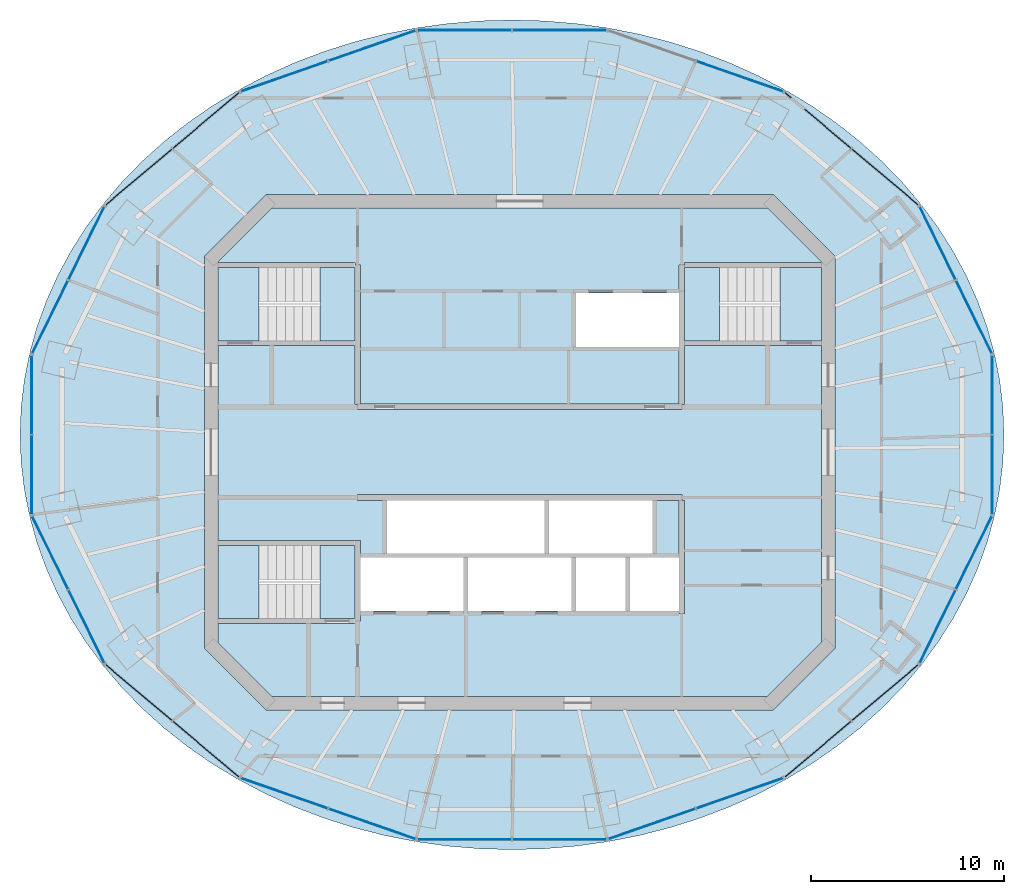
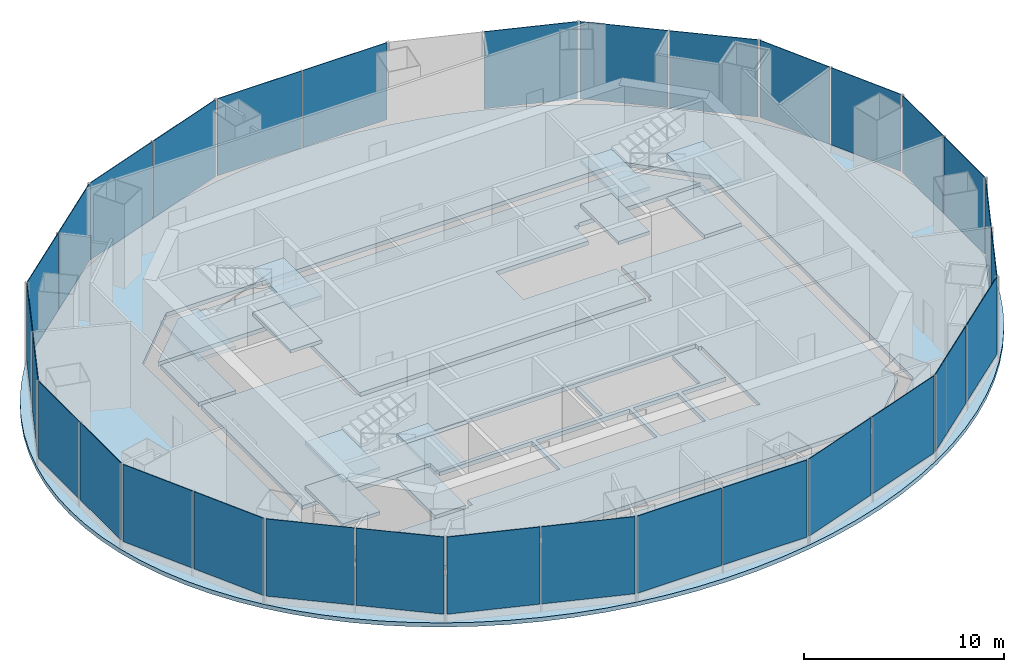
# One storey, part 6 of 11: 31 plates, 15 slabs, 19 elements without a shape of their own.
"""IFC4 building model written with IfcOpenShell, lengths in metres."""

from ifc_helpers import new_model, si_unit, direction, frame, origin, origin_2d, place, context, subcontext, project, spatial, polyline, rectangle, outline, extrude, material, layer, layer_set, type_object, element, aggregate, save


model = new_model("IFC4")

# Units and contexts
model_context = context("Model", 3, precision=1e-05, world=origin(), true_north=direction((0.0, 1.0)))
body_context = subcontext(model_context, "Body", "Model", "MODEL_VIEW")
ifc_project = project(units=[si_unit("LENGTHUNIT", "METRE"), si_unit("AREAUNIT", "SQUARE_METRE"), si_unit("VOLUMEUNIT", "CUBIC_METRE"), si_unit("PLANEANGLEUNIT", "RADIAN"), si_unit("MASSUNIT", "GRAM", prefix="KILO")], contexts=[model_context])

# Site, building, storey
site_placement = place(None, origin())
site = spatial("IfcSite", under=ifc_project, at=site_placement, CompositionType="ELEMENT")
building_placement = place(site_placement, origin())
building = spatial("IfcBuilding", under=site, at=building_placement, Name="Marenthal Gate Tower", CompositionType="ELEMENT")
storey_placement = place(building_placement, frame((0.0, 0.0, 396.550048828125)))
storey = spatial("IfcBuildingStorey", under=building, at=storey_placement, Name="L90", CompositionType="ELEMENT", Elevation=396.550048828125)

# Slabs
ifc_material_1 = material(Name="Concrete 50 MPa", Category="concrete")
ifc_layer_1 = layer(ifc_material_1, 0.25)
ifc_layer_set_1 = layer_set([ifc_layer_1], Name="Core floor slab 250")
slab_type_1 = type_object("IfcSlabType", Name="Core floor slab 250", PredefinedType="FLOOR", material=ifc_layer_set_1)
slab_1_placement = place(storey_placement, frame((0.0, 0.0, -0.25)))
element("IfcSlab", 1, at=slab_1_placement, inside=storey, type_object=slab_type_1, Name="Core floor L90", PredefinedType="FLOOR", context=body_context, shape_type="SweptSolid", body=[
    extrude(outline(polyline([(12.85498046875, -12.64990234375), (-12.85498046875, -12.64990234375), (-15.64990234375, -9.85498046875), (-15.64990234375, -8.875), (-8.550048828125, -8.875), (-8.550048828125, -8.75), (-8.25, -8.75), (-8.25, -8.239990234375), (-5.60009765625, -8.239990234375), (-2.909912109375, -8.239990234375), (-2.909912109375, -5.4599609375), (-5.60009765625, -5.4599609375), (-8.25, -5.4599609375), (-8.25, -4.574951171875), (-8.550048828125, -4.574951171875), (-15.64990234375, -4.574951171875), (-15.64990234375, 5.52490234375), (-8.550048828125, 5.52490234375), (-8.550048828125, 2.5), (-8.39990234375, 2.5), (-8.39990234375, 2.199951171875), (8.39990234375, 2.199951171875), (8.39990234375, 2.5), (8.550048828125, 2.5), (8.550048828125, 5.52490234375), (15.64990234375, 5.52490234375), (15.64990234375, -9.85498046875), (12.85498046875, -12.64990234375)]), holes=[polyline([(0.0, -8.239990234375), (2.68994140625, -8.239990234375), (2.68994140625, -5.4599609375), (0.0, -5.4599609375), (-2.68994140625, -5.4599609375), (-2.68994140625, -8.239990234375), (0.0, -8.239990234375)]), polyline([(1.2900390625, -5.239990234375), (1.2900390625, -2.5), (1.510009765625, -2.5), (1.510009765625, -5.239990234375), (4.199951171875, -5.239990234375), (6.889892578125, -5.239990234375), (6.889892578125, -2.5), (8.25, -2.5), (8.25, -5.4599609375), (5.7099609375, -5.4599609375), (5.7099609375, -8.239990234375), (8.25, -8.239990234375), (8.25, -8.35009765625), (8.550048828125, -8.35009765625), (8.550048828125, -2.5), (8.39990234375, -2.5), (8.39990234375, -2.199951171875), (-8.39990234375, -2.199951171875), (-8.39990234375, -2.5), (-6.889892578125, -2.5), (-6.889892578125, -5.239990234375), (-4.199951171875, -5.239990234375), (-1.39990234375, -5.239990234375), (1.2900390625, -5.239990234375)]), polyline([(5.489990234375, -5.4599609375), (2.909912109375, -5.4599609375), (2.909912109375, -8.239990234375), (5.489990234375, -8.239990234375), (5.489990234375, -5.4599609375)])]), origin(), (0.0, 0.0, 1.0), 0.25),
])
slab_2_placement = place(storey_placement, frame((0.0, 0.0, -0.25)))
element("IfcSlab", 2, at=slab_2_placement, inside=storey, type_object=slab_type_1, Name="Core floor L90", PredefinedType="FLOOR", context=body_context, shape_type="SweptSolid", body=[
    extrude(outline(polyline([(15.64990234375, 5.77490234375), (13.5, 5.77490234375), (13.5, 9.574951171875), (15.64990234375, 9.574951171875), (15.64990234375, 5.77490234375)])), origin(), (0.0, 0.0, 1.0), 0.25),
])
slab_3_placement = place(storey_placement, frame((0.0, 0.0, -0.25)))
element("IfcSlab", 3, at=slab_3_placement, inside=storey, type_object=slab_type_1, Name="Core floor L90", PredefinedType="FLOOR", context=body_context, shape_type="SweptSolid", body=[
    extrude(outline(polyline([(15.64990234375, 9.824951171875), (8.550048828125, 9.824951171875), (8.550048828125, 9.699951171875), (8.25, 9.699951171875), (8.25, 8.35009765625), (8.25, 8.239990234375), (5.60009765625, 8.239990234375), (2.909912109375, 8.239990234375), (2.909912109375, 5.4599609375), (5.60009765625, 5.4599609375), (8.25, 5.4599609375), (8.25, 2.5), (-8.25, 2.5), (-8.25, 8.35009765625), (-8.25, 9.699951171875), (-8.550048828125, 9.699951171875), (-8.550048828125, 9.824951171875), (-15.64990234375, 9.824951171875), (-15.64990234375, 9.85498046875), (-12.85498046875, 12.64990234375), (12.85498046875, 12.64990234375), (15.64990234375, 9.85498046875), (15.64990234375, 9.824951171875)])), origin(), (0.0, 0.0, 1.0), 0.25),
])
slab_4_placement = place(storey_placement, frame((0.0, 0.0, -0.25)))
element("IfcSlab", 4, at=slab_4_placement, inside=storey, type_object=slab_type_1, Name="Core floor L90", PredefinedType="FLOOR", context=body_context, shape_type="SweptSolid", body=[
    extrude(outline(polyline([(-15.64990234375, 9.574951171875), (-13.5, 9.574951171875), (-13.5, 5.77490234375), (-15.64990234375, 5.77490234375), (-15.64990234375, 9.574951171875)])), origin(), (0.0, 0.0, 1.0), 0.25),
])
slab_5_placement = place(storey_placement, frame((0.0, 0.0, -0.25)))
element("IfcSlab", 5, at=slab_5_placement, inside=storey, type_object=slab_type_1, Name="Core floor L90", PredefinedType="FLOOR", context=body_context, shape_type="SweptSolid", body=[
    extrude(outline(polyline([(-8.550048828125, -4.824951171875), (-8.550048828125, -8.625), (-10.35009765625, -8.625), (-10.35009765625, -4.824951171875), (-8.550048828125, -4.824951171875)])), origin(), (0.0, 0.0, 1.0), 0.25),
])

# Curtain wall, plates
ifc_material_2 = material(Name="Aluminium and glass", Category="aluminium")
curtain_wall_type = type_object("IfcCurtainWallType", Name="Curtain wall observation", PredefinedType="NOTDEFINED", material=ifc_material_2)
curtain_wall_1_placement = place(storey_placement, origin())
curtain_wall_1 = element("IfcCurtainWall", 6, at=curtain_wall_1_placement, inside=storey, type_object=curtain_wall_type, Name="Curtain wall L90 bay 1", PredefinedType="NOTDEFINED")
ifc_material_3 = material(Name="Glass, laminated impact-rated unit", Category="glass")
ifc_layer_2 = layer(ifc_material_3, 0.0400390625)
ifc_layer_set_2 = layer_set([ifc_layer_2], Name="Glass panel 40 observation")
plate_type = type_object("IfcPlateType", Name="Glass panel 40 observation", PredefinedType="CURTAIN_PANEL", material=ifc_layer_set_2)
plate_1_placement = place(storey_placement, frame((23.538330078125, 7.01123046875, 0.4501953125), z_axis=(0.0, 0.0, 1.0), x_axis=(-0.441246798842, 0.897385793576, 0.0)))
plate_1 = element("IfcPlate", 7, at=plate_1_placement, type_object=plate_type, Name="Glass panel L90 bay 1.1", PredefinedType="CURTAIN_PANEL", context=body_context, shape_type="SweptSolid", body=[
    extrude(rectangle(XDim=4.194091796875, YDim=0.0400390625, at=origin_2d()), origin(), (0.0, 0.0, 1.0), 4.699951171875),
])
plate_2_placement = place(storey_placement, frame((21.65673828125, 10.837890625, 0.4501953125), z_axis=(0.0, 0.0, 1.0), x_axis=(-0.441246798842, 0.897385793576, 0.0)))
plate_2 = element("IfcPlate", 8, at=plate_2_placement, type_object=plate_type, Name="Glass panel L90 bay 1.2", PredefinedType="CURTAIN_PANEL", context=body_context, shape_type="SweptSolid", body=[
    extrude(rectangle(XDim=4.194091796875, YDim=0.0400390625, at=origin_2d()), origin(), (0.0, 0.0, 1.0), 4.699951171875),
])
aggregate(curtain_wall_1, [plate_1, plate_2])

curtain_wall_2_placement = place(storey_placement, origin())
curtain_wall_2 = element("IfcCurtainWall", 9, at=curtain_wall_2_placement, inside=storey, type_object=curtain_wall_type, Name="Curtain wall L90 bay 2", PredefinedType="NOTDEFINED")
plate_3_placement = place(storey_placement, frame((18.940673828125, 14.262451171875, 0.4501953125), z_axis=(0.0, 0.0, 1.0), x_axis=(-0.764802142616, 0.644265226944, 0.0)))
plate_3 = element("IfcPlate", 10, at=plate_3_placement, type_object=plate_type, Name="Glass panel L90 bay 2.1", PredefinedType="CURTAIN_PANEL", context=body_context, shape_type="SweptSolid", body=[
    extrude(rectangle(XDim=4.477783203125, YDim=0.0400390625, at=origin_2d()), origin(), (0.0, 0.0, 1.0), 4.699951171875),
])
plate_4_placement = place(storey_placement, frame((15.46240234375, 17.1923828125, 0.4501953125), z_axis=(0.0, 0.0, 1.0), x_axis=(-0.764802142616, 0.644265226944, 0.0)))
plate_4 = element("IfcPlate", 11, at=plate_4_placement, type_object=plate_type, Name="Glass panel L90 bay 2.2", PredefinedType="CURTAIN_PANEL", context=body_context, shape_type="SweptSolid", body=[
    extrude(rectangle(XDim=4.477783203125, YDim=0.0400390625, at=origin_2d()), origin(), (0.0, 0.0, 1.0), 4.699951171875),
])
aggregate(curtain_wall_2, [plate_3, plate_4])

# Curtain wall, plate
curtain_wall_3_placement = place(storey_placement, origin())
curtain_wall_3 = element("IfcCurtainWall", 12, at=curtain_wall_3_placement, inside=storey, type_object=curtain_wall_type, Name="Curtain wall L90 bay 3", PredefinedType="NOTDEFINED")
plate_5_placement = place(storey_placement, frame((11.39892578125, 19.479736328125, 0.4501953125), z_axis=(0.0, 0.0, 1.0), x_axis=(-0.944171666203, 0.329453888639, 0.0)))
plate_5 = element("IfcPlate", 13, at=plate_5_placement, type_object=plate_type, Name="Glass panel L90 bay 3.1", PredefinedType="CURTAIN_PANEL", context=body_context, shape_type="SweptSolid", body=[
    extrude(rectangle(XDim=4.7451171875, YDim=0.0400390625, at=origin_2d()), origin(), (0.0, 0.0, 1.0), 4.699951171875),
])
aggregate(curtain_wall_3, [plate_5])

# Curtain wall, plates
curtain_wall_4_placement = place(storey_placement, origin())
curtain_wall_4 = element("IfcCurtainWall", 14, at=curtain_wall_4_placement, inside=storey, type_object=curtain_wall_type, Name="Curtain wall L90 bay 4", PredefinedType="NOTDEFINED")
plate_6_placement = place(storey_placement, frame((2.060791015625, 21.869140625, 0.4501953125), z_axis=(0.0, 0.0, 1.0), x_axis=(-1.0, 0.0, 0.0)))
plate_6 = element("IfcPlate", 15, at=plate_6_placement, type_object=plate_type, Name="Glass panel L90 bay 4.1", PredefinedType="CURTAIN_PANEL", context=body_context, shape_type="SweptSolid", body=[
    extrude(rectangle(XDim=4.851318359375, YDim=0.0400390625, at=origin_2d()), origin(), (0.0, 0.0, 1.0), 4.699951171875),
])
plate_7_placement = place(storey_placement, frame((-2.860595703125, 21.869140625, 0.4501953125), z_axis=(0.0, 0.0, 1.0), x_axis=(-1.0, 0.0, 0.0)))
plate_7 = element("IfcPlate", 16, at=plate_7_placement, type_object=plate_type, Name="Glass panel L90 bay 4.2", PredefinedType="CURTAIN_PANEL", context=body_context, shape_type="SweptSolid", body=[
    extrude(rectangle(XDim=4.851318359375, YDim=0.0400390625, at=origin_2d()), origin(), (0.0, 0.0, 1.0), 4.699951171875),
])
aggregate(curtain_wall_4, [plate_6, plate_7])

curtain_wall_5_placement = place(storey_placement, origin())
curtain_wall_5 = element("IfcCurtainWall", 17, at=curtain_wall_5_placement, inside=storey, type_object=curtain_wall_type, Name="Curtain wall L90 bay 5", PredefinedType="NOTDEFINED")
plate_8_placement = place(storey_placement, frame((-7.65283203125, 21.066162109375, 0.4501953125), z_axis=(0.0, 0.0, 1.0), x_axis=(-0.944171666203, -0.329453888639, 0.0)))
plate_8 = element("IfcPlate", 18, at=plate_8_placement, type_object=plate_type, Name="Glass panel L90 bay 5.1", PredefinedType="CURTAIN_PANEL", context=body_context, shape_type="SweptSolid", body=[
    extrude(rectangle(XDim=4.7451171875, YDim=0.0400390625, at=origin_2d()), origin(), (0.0, 0.0, 1.0), 4.699951171875),
])
plate_9_placement = place(storey_placement, frame((-12.198974609375, 19.479736328125, 0.4501953125), z_axis=(0.0, 0.0, 1.0), x_axis=(-0.944171666203, -0.329453888639, 0.0)))
plate_9 = element("IfcPlate", 19, at=plate_9_placement, type_object=plate_type, Name="Glass panel L90 bay 5.2", PredefinedType="CURTAIN_PANEL", context=body_context, shape_type="SweptSolid", body=[
    extrude(rectangle(XDim=4.7451171875, YDim=0.0400390625, at=origin_2d()), origin(), (0.0, 0.0, 1.0), 4.699951171875),
])
aggregate(curtain_wall_5, [plate_8, plate_9])

curtain_wall_6_placement = place(storey_placement, origin())
curtain_wall_6 = element("IfcCurtainWall", 20, at=curtain_wall_6_placement, inside=storey, type_object=curtain_wall_type, Name="Curtain wall L90 bay 6", PredefinedType="NOTDEFINED")
plate_10_placement = place(storey_placement, frame((-16.262451171875, 17.1923828125, 0.4501953125), z_axis=(0.0, 0.0, 1.0), x_axis=(-0.764802142616, -0.644265226944, 0.0)))
plate_10 = element("IfcPlate", 21, at=plate_10_placement, type_object=plate_type, Name="Glass panel L90 bay 6.1", PredefinedType="CURTAIN_PANEL", context=body_context, shape_type="SweptSolid", body=[
    extrude(rectangle(XDim=4.477783203125, YDim=0.0400390625, at=origin_2d()), origin(), (0.0, 0.0, 1.0), 4.699951171875),
])
plate_11_placement = place(storey_placement, frame((-19.74072265625, 14.262451171875, 0.4501953125), z_axis=(0.0, 0.0, 1.0), x_axis=(-0.764802142616, -0.644265226944, 0.0)))
plate_11 = element("IfcPlate", 22, at=plate_11_placement, type_object=plate_type, Name="Glass panel L90 bay 6.2", PredefinedType="CURTAIN_PANEL", context=body_context, shape_type="SweptSolid", body=[
    extrude(rectangle(XDim=4.477783203125, YDim=0.0400390625, at=origin_2d()), origin(), (0.0, 0.0, 1.0), 4.699951171875),
])
aggregate(curtain_wall_6, [plate_10, plate_11])

curtain_wall_7_placement = place(storey_placement, origin())
curtain_wall_7 = element("IfcCurtainWall", 23, at=curtain_wall_7_placement, inside=storey, type_object=curtain_wall_type, Name="Curtain wall L90 bay 7", PredefinedType="NOTDEFINED")
plate_12_placement = place(storey_placement, frame((-22.456787109375, 10.837890625, 0.4501953125), z_axis=(0.0, 0.0, 1.0), x_axis=(-0.441246798842, -0.897385793576, 0.0)))
plate_12 = element("IfcPlate", 24, at=plate_12_placement, type_object=plate_type, Name="Glass panel L90 bay 7.1", PredefinedType="CURTAIN_PANEL", context=body_context, shape_type="SweptSolid", body=[
    extrude(rectangle(XDim=4.194091796875, YDim=0.0400390625, at=origin_2d()), origin(), (0.0, 0.0, 1.0), 4.699951171875),
])
plate_13_placement = place(storey_placement, frame((-24.33837890625, 7.01123046875, 0.4501953125), z_axis=(0.0, 0.0, 1.0), x_axis=(-0.441246798842, -0.897385793576, 0.0)))
plate_13 = element("IfcPlate", 25, at=plate_13_placement, type_object=plate_type, Name="Glass panel L90 bay 7.2", PredefinedType="CURTAIN_PANEL", context=body_context, shape_type="SweptSolid", body=[
    extrude(rectangle(XDim=4.194091796875, YDim=0.0400390625, at=origin_2d()), origin(), (0.0, 0.0, 1.0), 4.699951171875),
])
aggregate(curtain_wall_7, [plate_12, plate_13])

curtain_wall_8_placement = place(storey_placement, origin())
curtain_wall_8 = element("IfcCurtainWall", 26, at=curtain_wall_8_placement, inside=storey, type_object=curtain_wall_type, Name="Curtain wall L90 bay 8", PredefinedType="NOTDEFINED")
plate_14_placement = place(storey_placement, frame((-25.292236328125, 2.970458984375, 0.4501953125), z_axis=(0.0, 0.0, 1.0), x_axis=(0.0, -1.0, 0.0)))
plate_14 = element("IfcPlate", 27, at=plate_14_placement, type_object=plate_type, Name="Glass panel L90 bay 8.1", PredefinedType="CURTAIN_PANEL", context=body_context, shape_type="SweptSolid", body=[
    extrude(rectangle(XDim=4.071044921875, YDim=0.0400390625, at=origin_2d()), origin(), (0.0, 0.0, 1.0), 4.699951171875),
])
plate_15_placement = place(storey_placement, frame((-25.292236328125, -1.17041015625, 0.4501953125), z_axis=(0.0, 0.0, 1.0), x_axis=(0.0, -1.0, 0.0)))
plate_15 = element("IfcPlate", 28, at=plate_15_placement, type_object=plate_type, Name="Glass panel L90 bay 8.2", PredefinedType="CURTAIN_PANEL", context=body_context, shape_type="SweptSolid", body=[
    extrude(rectangle(XDim=4.071044921875, YDim=0.0400390625, at=origin_2d()), origin(), (0.0, 0.0, 1.0), 4.699951171875),
])
aggregate(curtain_wall_8, [plate_14, plate_15])

curtain_wall_9_placement = place(storey_placement, origin())
curtain_wall_9 = element("IfcCurtainWall", 29, at=curtain_wall_9_placement, inside=storey, type_object=curtain_wall_type, Name="Curtain wall L90 bay 9", PredefinedType="NOTDEFINED")
plate_16_placement = place(storey_placement, frame((-24.33837890625, -5.211181640625, 0.4501953125), z_axis=(0.0, 0.0, 1.0), x_axis=(0.441246798842, -0.897385793576, 0.0)))
plate_16 = element("IfcPlate", 30, at=plate_16_placement, type_object=plate_type, Name="Glass panel L90 bay 9.1", PredefinedType="CURTAIN_PANEL", context=body_context, shape_type="SweptSolid", body=[
    extrude(rectangle(XDim=4.194091796875, YDim=0.0400390625, at=origin_2d()), origin(), (0.0, 0.0, 1.0), 4.699951171875),
])
plate_17_placement = place(storey_placement, frame((-22.456787109375, -9.037841796875, 0.4501953125), z_axis=(0.0, 0.0, 1.0), x_axis=(0.441246798842, -0.897385793576, 0.0)))
plate_17 = element("IfcPlate", 31, at=plate_17_placement, type_object=plate_type, Name="Glass panel L90 bay 9.2", PredefinedType="CURTAIN_PANEL", context=body_context, shape_type="SweptSolid", body=[
    extrude(rectangle(XDim=4.194091796875, YDim=0.0400390625, at=origin_2d()), origin(), (0.0, 0.0, 1.0), 4.699951171875),
])
aggregate(curtain_wall_9, [plate_16, plate_17])

curtain_wall_10_placement = place(storey_placement, origin())
curtain_wall_10 = element("IfcCurtainWall", 32, at=curtain_wall_10_placement, inside=storey, type_object=curtain_wall_type, Name="Curtain wall L90 bay 10", PredefinedType="NOTDEFINED")
plate_18_placement = place(storey_placement, frame((-19.74072265625, -12.46240234375, 0.4501953125), z_axis=(0.0, 0.0, 1.0), x_axis=(0.764802142616, -0.644265226944, 0.0)))
plate_18 = element("IfcPlate", 33, at=plate_18_placement, type_object=plate_type, Name="Glass panel L90 bay 10.1", PredefinedType="CURTAIN_PANEL", context=body_context, shape_type="SweptSolid", body=[
    extrude(rectangle(XDim=4.477783203125, YDim=0.0400390625, at=origin_2d()), origin(), (0.0, 0.0, 1.0), 4.699951171875),
])
plate_19_placement = place(storey_placement, frame((-16.262451171875, -15.392578125, 0.4501953125), z_axis=(0.0, 0.0, 1.0), x_axis=(0.764802142616, -0.644265226944, 0.0)))
plate_19 = element("IfcPlate", 34, at=plate_19_placement, type_object=plate_type, Name="Glass panel L90 bay 10.2", PredefinedType="CURTAIN_PANEL", context=body_context, shape_type="SweptSolid", body=[
    extrude(rectangle(XDim=4.477783203125, YDim=0.0400390625, at=origin_2d()), origin(), (0.0, 0.0, 1.0), 4.699951171875),
])
aggregate(curtain_wall_10, [plate_18, plate_19])

curtain_wall_11_placement = place(storey_placement, origin())
curtain_wall_11 = element("IfcCurtainWall", 35, at=curtain_wall_11_placement, inside=storey, type_object=curtain_wall_type, Name="Curtain wall L90 bay 11", PredefinedType="NOTDEFINED")
plate_20_placement = place(storey_placement, frame((-12.198974609375, -17.679931640625, 0.4501953125), z_axis=(0.0, 0.0, 1.0), x_axis=(0.944171666203, -0.329453888639, 0.0)))
plate_20 = element("IfcPlate", 36, at=plate_20_placement, type_object=plate_type, Name="Glass panel L90 bay 11.1", PredefinedType="CURTAIN_PANEL", context=body_context, shape_type="SweptSolid", body=[
    extrude(rectangle(XDim=4.7451171875, YDim=0.0400390625, at=origin_2d()), origin(), (0.0, 0.0, 1.0), 4.699951171875),
])
plate_21_placement = place(storey_placement, frame((-7.65283203125, -19.26611328125, 0.4501953125), z_axis=(0.0, 0.0, 1.0), x_axis=(0.944171666203, -0.329453888639, 0.0)))
plate_21 = element("IfcPlate", 37, at=plate_21_placement, type_object=plate_type, Name="Glass panel L90 bay 11.2", PredefinedType="CURTAIN_PANEL", context=body_context, shape_type="SweptSolid", body=[
    extrude(rectangle(XDim=4.7451171875, YDim=0.0400390625, at=origin_2d()), origin(), (0.0, 0.0, 1.0), 4.699951171875),
])
aggregate(curtain_wall_11, [plate_20, plate_21])

curtain_wall_12_placement = place(storey_placement, origin())
curtain_wall_12 = element("IfcCurtainWall", 38, at=curtain_wall_12_placement, inside=storey, type_object=curtain_wall_type, Name="Curtain wall L90 bay 12", PredefinedType="NOTDEFINED")
plate_22_placement = place(storey_placement, frame((-2.860595703125, -20.069091796875, 0.4501953125), z_axis=(0.0, 0.0, 1.0), x_axis=(1.0, 0.0, 0.0)))
plate_22 = element("IfcPlate", 39, at=plate_22_placement, type_object=plate_type, Name="Glass panel L90 bay 12.1", PredefinedType="CURTAIN_PANEL", context=body_context, shape_type="SweptSolid", body=[
    extrude(rectangle(XDim=4.851318359375, YDim=0.0400390625, at=origin_2d()), origin(), (0.0, 0.0, 1.0), 4.699951171875),
])
plate_23_placement = place(storey_placement, frame((2.060791015625, -20.069091796875, 0.4501953125), z_axis=(0.0, 0.0, 1.0), x_axis=(1.0, 0.0, 0.0)))
plate_23 = element("IfcPlate", 40, at=plate_23_placement, type_object=plate_type, Name="Glass panel L90 bay 12.2", PredefinedType="CURTAIN_PANEL", context=body_context, shape_type="SweptSolid", body=[
    extrude(rectangle(XDim=4.851318359375, YDim=0.0400390625, at=origin_2d()), origin(), (0.0, 0.0, 1.0), 4.699951171875),
])
aggregate(curtain_wall_12, [plate_22, plate_23])

curtain_wall_13_placement = place(storey_placement, origin())
curtain_wall_13 = element("IfcCurtainWall", 41, at=curtain_wall_13_placement, inside=storey, type_object=curtain_wall_type, Name="Curtain wall L90 bay 13", PredefinedType="NOTDEFINED")
plate_24_placement = place(storey_placement, frame((6.852783203125, -19.26611328125, 0.4501953125), z_axis=(0.0, 0.0, 1.0), x_axis=(0.944171666203, 0.329453888639, 0.0)))
plate_24 = element("IfcPlate", 42, at=plate_24_placement, type_object=plate_type, Name="Glass panel L90 bay 13.1", PredefinedType="CURTAIN_PANEL", context=body_context, shape_type="SweptSolid", body=[
    extrude(rectangle(XDim=4.7451171875, YDim=0.0400390625, at=origin_2d()), origin(), (0.0, 0.0, 1.0), 4.699951171875),
])
plate_25_placement = place(storey_placement, frame((11.39892578125, -17.679931640625, 0.4501953125), z_axis=(0.0, 0.0, 1.0), x_axis=(0.944171666203, 0.329453888639, 0.0)))
plate_25 = element("IfcPlate", 43, at=plate_25_placement, type_object=plate_type, Name="Glass panel L90 bay 13.2", PredefinedType="CURTAIN_PANEL", context=body_context, shape_type="SweptSolid", body=[
    extrude(rectangle(XDim=4.7451171875, YDim=0.0400390625, at=origin_2d()), origin(), (0.0, 0.0, 1.0), 4.699951171875),
])
aggregate(curtain_wall_13, [plate_24, plate_25])

curtain_wall_14_placement = place(storey_placement, origin())
curtain_wall_14 = element("IfcCurtainWall", 44, at=curtain_wall_14_placement, inside=storey, type_object=curtain_wall_type, Name="Curtain wall L90 bay 14", PredefinedType="NOTDEFINED")
plate_26_placement = place(storey_placement, frame((15.46240234375, -15.392333984375, 0.4501953125), z_axis=(0.0, 0.0, 1.0), x_axis=(0.764802142616, 0.644265226944, 0.0)))
plate_26 = element("IfcPlate", 45, at=plate_26_placement, type_object=plate_type, Name="Glass panel L90 bay 14.1", PredefinedType="CURTAIN_PANEL", context=body_context, shape_type="SweptSolid", body=[
    extrude(rectangle(XDim=4.477783203125, YDim=0.0400390625, at=origin_2d()), origin(), (0.0, 0.0, 1.0), 4.699951171875),
])
plate_27_placement = place(storey_placement, frame((18.940673828125, -12.46240234375, 0.4501953125), z_axis=(0.0, 0.0, 1.0), x_axis=(0.764802142616, 0.644265226944, 0.0)))
plate_27 = element("IfcPlate", 46, at=plate_27_placement, type_object=plate_type, Name="Glass panel L90 bay 14.2", PredefinedType="CURTAIN_PANEL", context=body_context, shape_type="SweptSolid", body=[
    extrude(rectangle(XDim=4.477783203125, YDim=0.0400390625, at=origin_2d()), origin(), (0.0, 0.0, 1.0), 4.699951171875),
])
aggregate(curtain_wall_14, [plate_26, plate_27])

curtain_wall_15_placement = place(storey_placement, origin())
curtain_wall_15 = element("IfcCurtainWall", 47, at=curtain_wall_15_placement, inside=storey, type_object=curtain_wall_type, Name="Curtain wall L90 bay 15", PredefinedType="NOTDEFINED")
plate_28_placement = place(storey_placement, frame((21.65673828125, -9.037841796875, 0.4501953125), z_axis=(0.0, 0.0, 1.0), x_axis=(0.441246798842, 0.897385793576, 0.0)))
plate_28 = element("IfcPlate", 48, at=plate_28_placement, type_object=plate_type, Name="Glass panel L90 bay 15.1", PredefinedType="CURTAIN_PANEL", context=body_context, shape_type="SweptSolid", body=[
    extrude(rectangle(XDim=4.194091796875, YDim=0.0400390625, at=origin_2d()), origin(), (0.0, 0.0, 1.0), 4.699951171875),
])
plate_29_placement = place(storey_placement, frame((23.538330078125, -5.211181640625, 0.4501953125), z_axis=(0.0, 0.0, 1.0), x_axis=(0.441246798842, 0.897385793576, 0.0)))
plate_29 = element("IfcPlate", 49, at=plate_29_placement, type_object=plate_type, Name="Glass panel L90 bay 15.2", PredefinedType="CURTAIN_PANEL", context=body_context, shape_type="SweptSolid", body=[
    extrude(rectangle(XDim=4.194091796875, YDim=0.0400390625, at=origin_2d()), origin(), (0.0, 0.0, 1.0), 4.699951171875),
])
aggregate(curtain_wall_15, [plate_28, plate_29])

curtain_wall_16_placement = place(storey_placement, origin())
curtain_wall_16 = element("IfcCurtainWall", 50, at=curtain_wall_16_placement, inside=storey, type_object=curtain_wall_type, Name="Curtain wall L90 bay 16", PredefinedType="NOTDEFINED")
plate_30_placement = place(storey_placement, frame((24.4921875, -1.17041015625, 0.4501953125), z_axis=(0.0, 0.0, 1.0), x_axis=(0.0, 1.0, 0.0)))
plate_30 = element("IfcPlate", 51, at=plate_30_placement, type_object=plate_type, Name="Glass panel L90 bay 16.1", PredefinedType="CURTAIN_PANEL", context=body_context, shape_type="SweptSolid", body=[
    extrude(rectangle(XDim=4.071044921875, YDim=0.0400390625, at=origin_2d()), origin(), (0.0, 0.0, 1.0), 4.699951171875),
])
plate_31_placement = place(storey_placement, frame((24.4921875, 2.970458984375, 0.4501953125), z_axis=(0.0, 0.0, 1.0), x_axis=(0.0, 1.0, 0.0)))
plate_31 = element("IfcPlate", 52, at=plate_31_placement, type_object=plate_type, Name="Glass panel L90 bay 16.2", PredefinedType="CURTAIN_PANEL", context=body_context, shape_type="SweptSolid", body=[
    extrude(rectangle(XDim=4.071044921875, YDim=0.0400390625, at=origin_2d()), origin(), (0.0, 0.0, 1.0), 4.699951171875),
])
aggregate(curtain_wall_16, [plate_30, plate_31])

# Slab
ifc_material_4 = material(Name="Concrete 35 MPa", Category="concrete")
ifc_layer_3 = layer(ifc_material_4, 0.25)
ifc_layer_set_3 = layer_set([ifc_layer_3], Name="Observation floor slab 250")
slab_type_2 = type_object("IfcSlabType", Name="Observation floor slab 250", PredefinedType="FLOOR", material=ifc_layer_set_3)
slab_6_placement = place(storey_placement, frame((0.0, 0.0, -0.25)))
element("IfcSlab", 53, at=slab_6_placement, inside=storey, type_object=slab_type_2, Name="SL-L90-01", PredefinedType="FLOOR", context=body_context, shape_type="SweptSolid", body=[
    extrude(outline(polyline([(25.10009765625, 0.89990234375), (25.04541015625, 2.30615234375), (24.8818359375, 3.706298828125), (24.610107421875, 5.094482421875), (24.231201171875, 6.464599609375), (23.74658203125, 7.810791015625), (23.158935546875, 9.127685546875), (22.47021484375, 10.4091796875), (21.68359375, 11.64990234375), (20.802490234375, 12.8447265625), (19.83056640625, 13.98828125), (18.77197265625, 15.075927734375), (17.631103515625, 16.102783203125), (16.413330078125, 17.064697265625), (15.123291015625, 17.95703125), (13.76708984375, 18.776611328125), (12.35009765625, 19.51953125), (10.87841796875, 20.182861328125), (9.3583984375, 20.763427734375), (7.796630859375, 21.259033203125), (6.199951171875, 21.66748046875), (4.57470703125, 21.98681640625), (2.928466796875, 22.216064453125), (1.267822265625, 22.35400390625), (-0.39990234375, 22.39990234375), (-2.06787109375, 22.35400390625), (-3.728515625, 22.216064453125), (-5.374755859375, 21.98681640625), (-7.0, 21.66748046875), (-8.5966796875, 21.259033203125), (-10.158447265625, 20.763427734375), (-11.678466796875, 20.182861328125), (-13.14990234375, 19.51953125), (-14.56689453125, 18.776611328125), (-15.92333984375, 17.95703125), (-17.21337890625, 17.064697265625), (-18.43115234375, 16.102783203125), (-19.572021484375, 15.075927734375), (-20.630615234375, 13.98828125), (-21.6025390625, 12.8447265625), (-22.483642578125, 11.64990234375), (-23.270263671875, 10.4091796875), (-23.958984375, 9.127685546875), (-24.546630859375, 7.810791015625), (-25.031005859375, 6.464599609375), (-25.409912109375, 5.094482421875), (-25.681884765625, 3.706298828125), (-25.845458984375, 2.30615234375), (-25.89990234375, 0.89990234375), (-25.845458984375, -0.506103515625), (-25.681884765625, -1.90625), (-25.409912109375, -3.29443359375), (-25.031005859375, -4.66455078125), (-24.546630859375, -6.010986328125), (-23.958984375, -7.32763671875), (-23.270263671875, -8.609130859375), (-22.483642578125, -9.85009765625), (-21.6025390625, -11.044921875), (-20.630615234375, -12.1884765625), (-19.572021484375, -13.27587890625), (-18.43115234375, -14.302734375), (-17.21337890625, -15.2646484375), (-15.92333984375, -16.156982421875), (-14.56689453125, -16.9765625), (-13.14990234375, -17.719482421875), (-11.678466796875, -18.3828125), (-10.158447265625, -18.96337890625), (-8.5966796875, -19.458984375), (-7.0, -19.867431640625), (-5.374755859375, -20.18701171875), (-3.728515625, -20.416015625), (-2.06787109375, -20.553955078125), (-0.39990234375, -20.60009765625), (1.267822265625, -20.553955078125), (2.928466796875, -20.416015625), (4.57470703125, -20.18701171875), (6.199951171875, -19.867431640625), (7.796630859375, -19.458984375), (9.3583984375, -18.96337890625), (10.87841796875, -18.3828125), (12.35009765625, -17.719482421875), (13.76708984375, -16.9765625), (15.123291015625, -16.156982421875), (16.413330078125, -15.2646484375), (17.631103515625, -14.302734375), (18.77197265625, -13.27587890625), (19.83056640625, -12.1884765625), (20.802490234375, -11.044921875), (21.68359375, -9.85009765625), (22.47021484375, -8.609130859375), (23.158935546875, -7.32763671875), (23.74658203125, -6.010986328125), (24.231201171875, -4.66455078125), (24.610107421875, -3.29443359375), (24.8818359375, -1.90625), (25.04541015625, -0.506103515625), (25.10009765625, 0.89990234375)]), holes=[polyline([(13.14501953125, -13.35009765625), (16.35009765625, -10.14501953125), (16.35009765625, 10.14501953125), (13.14501953125, 13.35009765625), (-13.14501953125, 13.35009765625), (-16.35009765625, 10.14501953125), (-16.35009765625, -10.14501953125), (-13.14501953125, -13.35009765625), (13.14501953125, -13.35009765625)])]), origin(), (0.0, 0.0, 1.0), 0.25),
])

# Stair, slabs
ifc_material_5 = material(Name="Concrete 40 MPa", Category="concrete")
stair_type = type_object("IfcStairType", Name="Exit stair 1800", PredefinedType="HALF_TURN_STAIR", material=ifc_material_5)
stair_1_placement = place(storey_placement, origin())
stair_1 = element("IfcStair", 54, at=stair_1_placement, inside=storey, type_object=stair_type, Name="Stair ST1", PredefinedType="HALF_TURN_STAIR")
ifc_material_6 = material(Name="Concrete 40 MPa", Category="concrete")
ifc_layer_4 = layer(ifc_material_6, 0.199951171875)
ifc_layer_set_4 = layer_set([ifc_layer_4], Name="Stair landing 200")
slab_type_3 = type_object("IfcSlabType", Name="Stair landing 200", PredefinedType="LANDING", material=ifc_layer_set_4)
slab_7_placement = place(storey_placement, frame((0.0, 0.0, 1.14990234375)))
slab_7 = element("IfcSlab", 55, at=slab_7_placement, type_object=slab_type_3, Name="ST1 landing 1", PredefinedType="LANDING", context=body_context, shape_type="SweptSolid", body=[
    extrude(outline(polyline([(-10.35009765625, 5.77490234375), (-8.550048828125, 5.77490234375), (-8.550048828125, 9.574951171875), (-10.35009765625, 9.574951171875), (-10.35009765625, 5.77490234375)])), origin(), (0.0, 0.0, 1.0), 0.199951171875),
])
slab_8_placement = place(storey_placement, frame((0.0, 0.0, 2.5)))
slab_8 = element("IfcSlab", 56, at=slab_8_placement, type_object=slab_type_3, Name="ST1 landing 2", PredefinedType="LANDING", context=body_context, shape_type="SweptSolid", body=[
    extrude(outline(polyline([(-15.64990234375, 5.77490234375), (-13.5, 5.77490234375), (-13.5, 9.574951171875), (-15.64990234375, 9.574951171875), (-15.64990234375, 5.77490234375)])), origin(), (0.0, 0.0, 1.0), 0.199951171875),
])
slab_9_placement = place(storey_placement, frame((0.0, 0.0, 3.849853515625)))
slab_9 = element("IfcSlab", 57, at=slab_9_placement, type_object=slab_type_3, Name="ST1 landing 3", PredefinedType="LANDING", context=body_context, shape_type="SweptSolid", body=[
    extrude(outline(polyline([(-10.35009765625, 5.77490234375), (-8.550048828125, 5.77490234375), (-8.550048828125, 9.574951171875), (-10.35009765625, 9.574951171875), (-10.35009765625, 5.77490234375)])), origin(), (0.0, 0.0, 1.0), 0.2001953125),
])
aggregate(stair_1, [slab_7, slab_8, slab_9])

stair_2_placement = place(storey_placement, origin())
stair_2 = element("IfcStair", 58, at=stair_2_placement, inside=storey, type_object=stair_type, Name="Stair ST2", PredefinedType="HALF_TURN_STAIR")
slab_10_placement = place(storey_placement, frame((0.0, 0.0, 1.14990234375)))
slab_10 = element("IfcSlab", 59, at=slab_10_placement, type_object=slab_type_3, Name="ST2 landing 1", PredefinedType="LANDING", context=body_context, shape_type="SweptSolid", body=[
    extrude(outline(polyline([(-15.64990234375, -8.625), (-13.5, -8.625), (-13.5, -4.824951171875), (-15.64990234375, -4.824951171875), (-15.64990234375, -8.625)])), origin(), (0.0, 0.0, 1.0), 0.199951171875),
])
slab_11_placement = place(storey_placement, frame((0.0, 0.0, 2.5)))
slab_11 = element("IfcSlab", 60, at=slab_11_placement, type_object=slab_type_3, Name="ST2 landing 2", PredefinedType="LANDING", context=body_context, shape_type="SweptSolid", body=[
    extrude(outline(polyline([(-10.35009765625, -8.625), (-8.550048828125, -8.625), (-8.550048828125, -4.824951171875), (-10.35009765625, -4.824951171875), (-10.35009765625, -8.625)])), origin(), (0.0, 0.0, 1.0), 0.199951171875),
])
slab_12_placement = place(storey_placement, frame((0.0, 0.0, 3.849853515625)))
slab_12 = element("IfcSlab", 61, at=slab_12_placement, type_object=slab_type_3, Name="ST2 landing 3", PredefinedType="LANDING", context=body_context, shape_type="SweptSolid", body=[
    extrude(outline(polyline([(-15.64990234375, -8.625), (-13.5, -8.625), (-13.5, -4.824951171875), (-15.64990234375, -4.824951171875), (-15.64990234375, -8.625)])), origin(), (0.0, 0.0, 1.0), 0.2001953125),
])
aggregate(stair_2, [slab_10, slab_11, slab_12])

stair_3_placement = place(storey_placement, origin())
stair_3 = element("IfcStair", 62, at=stair_3_placement, inside=storey, type_object=stair_type, Name="Stair ST3", PredefinedType="HALF_TURN_STAIR")
slab_13_placement = place(storey_placement, frame((0.0, 0.0, 1.14990234375)))
slab_13 = element("IfcSlab", 63, at=slab_13_placement, type_object=slab_type_3, Name="ST3 landing 1", PredefinedType="LANDING", context=body_context, shape_type="SweptSolid", body=[
    extrude(outline(polyline([(8.550048828125, 5.77490234375), (10.35009765625, 5.77490234375), (10.35009765625, 9.574951171875), (8.550048828125, 9.574951171875), (8.550048828125, 5.77490234375)])), origin(), (0.0, 0.0, 1.0), 0.199951171875),
])
slab_14_placement = place(storey_placement, frame((0.0, 0.0, 2.5)))
slab_14 = element("IfcSlab", 64, at=slab_14_placement, type_object=slab_type_3, Name="ST3 landing 2", PredefinedType="LANDING", context=body_context, shape_type="SweptSolid", body=[
    extrude(outline(polyline([(13.5, 5.77490234375), (15.64990234375, 5.77490234375), (15.64990234375, 9.574951171875), (13.5, 9.574951171875), (13.5, 5.77490234375)])), origin(), (0.0, 0.0, 1.0), 0.199951171875),
])
slab_15_placement = place(storey_placement, frame((0.0, 0.0, 3.849853515625)))
slab_15 = element("IfcSlab", 65, at=slab_15_placement, type_object=slab_type_3, Name="ST3 landing 3", PredefinedType="LANDING", context=body_context, shape_type="SweptSolid", body=[
    extrude(outline(polyline([(8.550048828125, 5.77490234375), (10.35009765625, 5.77490234375), (10.35009765625, 9.574951171875), (8.550048828125, 9.574951171875), (8.550048828125, 5.77490234375)])), origin(), (0.0, 0.0, 1.0), 0.2001953125),
])
aggregate(stair_3, [slab_13, slab_14, slab_15])

save(model, "model.ifc")
